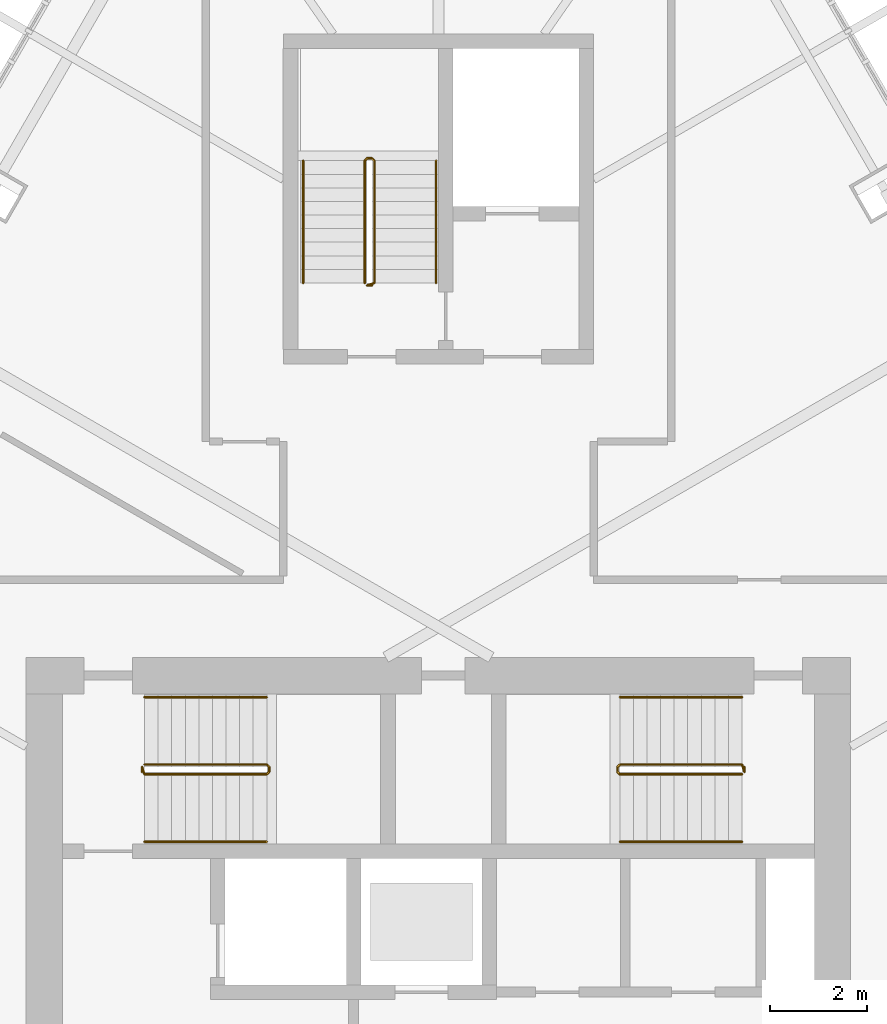
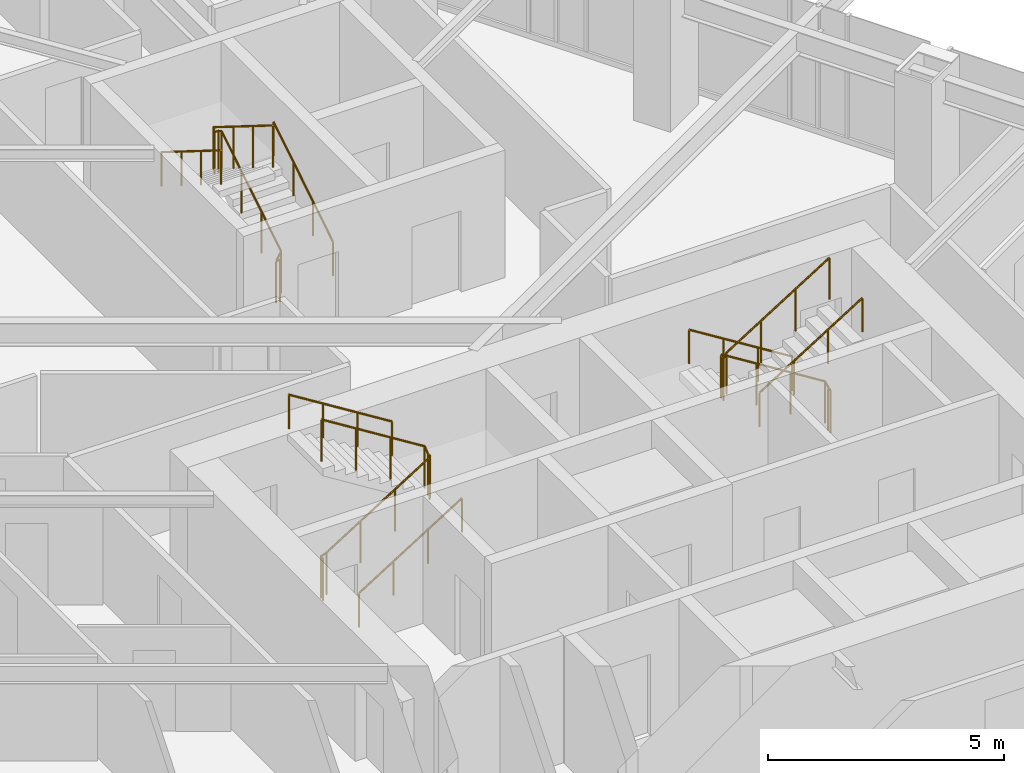
# One storey, part 25 of 26: 9 railings.
"""IFC4 building model written with IfcOpenShell, lengths in metres."""

from ifc_helpers import new_model, si_unit, direction, frame, origin, origin_2d, place, context, subcontext, project, spatial, circle, extrude, material, type_object, element, save


model = new_model("IFC4")

# Units and contexts
model_context = context("Model", 3, precision=1e-05, world=origin(), true_north=direction((0.0, 1.0)))
body_context = subcontext(model_context, "Body", "Model", "MODEL_VIEW")
ifc_project = project(units=[si_unit("LENGTHUNIT", "METRE"), si_unit("AREAUNIT", "SQUARE_METRE"), si_unit("VOLUMEUNIT", "CUBIC_METRE"), si_unit("PLANEANGLEUNIT", "RADIAN"), si_unit("MASSUNIT", "GRAM", prefix="KILO")], contexts=[model_context])

# Site, building, storey
site_placement = place(None, origin())
site = spatial("IfcSite", under=ifc_project, at=site_placement, CompositionType="ELEMENT")
building_placement = place(site_placement, origin())
building = spatial("IfcBuilding", under=site, at=building_placement, Name="Firuza Gate Tower and Library", CompositionType="ELEMENT")
storey_placement = place(building_placement, frame((0.0, 0.0, 288.10009765625)))
storey = spatial("IfcBuildingStorey", under=building, at=storey_placement, Name="L69", CompositionType="ELEMENT", Elevation=288.10009765625)

# Railings
ifc_material_1 = material(Name="Steel S355", Category="steel")
railing_type_1 = type_object("IfcRailingType", Name="Stair guard 1100", PredefinedType="GUARDRAIL", material=ifc_material_1)
railing_1_placement = place(storey_placement, frame((68.889892578125, 79.389892578125, 0.0)))
element("IfcRailing", 1, at=railing_1_placement, inside=storey, type_object=railing_type_1, Name="L69 ST1 stair guard 1", PredefinedType="GUARDRAIL", context=body_context, shape_type="SweptSolid", body=[
    extrude(circle(Radius=0.02392578125, at=origin_2d()), frame((0.0, 0.0, 1.076171875), z_axis=(0.0, 1.0, 0.0), x_axis=(-1.0, 0.0, 0.0)), (0.0, 0.0, 1.0), 0.10009765625),
    extrude(circle(Radius=0.02392578125, at=origin_2d()), frame((0.0, 0.10009765625, 1.076171875), z_axis=(0.212383695785, -0.636115069328, 0.741788908207), x_axis=(0.948528701346, 0.316691178788, 0.0)), (0.0, 0.0, 1.0), 0.235595703125),
    extrude(circle(Radius=0.02392578125, at=origin_2d()), frame((0.050048828125, -0.0498046875, 1.2509765625), z_axis=(0.847970611238, 0.0, 0.530043245855), x_axis=(0.0, 1.0, 0.0)), (0.0, 0.0, 1.0), 2.971923828125),
    extrude(circle(Radius=0.02392578125, at=origin_2d()), frame((2.570068359375, -0.0498046875, 2.826171875), z_axis=(0.708833529934, 0.705375805398, 0.0), x_axis=(-0.705375805398, 0.708833529934, 0.0)), (0.0, 0.0, 1.0), 0.070556640625),
    extrude(circle(Radius=0.02392578125, at=origin_2d()), frame((2.6201171875, 0.0, 2.826171875), z_axis=(0.0, 1.0, 0.0), x_axis=(-1.0, 0.0, 0.0)), (0.0, 0.0, 1.0), 0.10009765625),
    extrude(circle(Radius=0.02392578125, at=origin_2d()), frame((2.6201171875, 0.10009765625, 2.826171875), z_axis=(-0.265383341853, 0.265383341853, 0.926899867156), x_axis=(-0.707106781187, -0.707106781187, 0.0)), (0.0, 0.0, 1.0), 0.1884765625),
    extrude(circle(Radius=0.02392578125, at=origin_2d()), frame((2.570068359375, 0.150146484375, 3.0009765625), z_axis=(-0.847970611238, 0.0, 0.530043245855), x_axis=(0.0, -1.0, 0.0)), (0.0, 0.0, 1.0), 2.971923828125),
    extrude(circle(Radius=0.02099609375, at=origin_2d()), origin(), (0.0, 0.0, 1.0), 1.052001953125),
    extrude(circle(Radius=0.02099609375, at=origin_2d()), frame((0.0, 0.10009765625, 0.0)), (0.0, 0.0, 1.0), 1.052001953125),
    extrude(circle(Radius=0.02099609375, at=origin_2d()), frame((0.050048828125, -0.0498046875, 0.1748046875)), (0.0, 0.0, 1.0), 1.052001953125),
    extrude(circle(Radius=0.02099609375, at=origin_2d()), frame((0.89013671875, -0.0498046875, 0.699951171875)), (0.0, 0.0, 1.0), 1.052001953125),
    extrude(circle(Radius=0.02099609375, at=origin_2d()), frame((1.72998046875, -0.0498046875, 1.224853515625)), (0.0, 0.0, 1.0), 1.052001953125),
    extrude(circle(Radius=0.02099609375, at=origin_2d()), frame((2.570068359375, -0.0498046875, 1.75)), (0.0, 0.0, 1.0), 1.052001953125),
    extrude(circle(Radius=0.02099609375, at=origin_2d()), frame((2.6201171875, 0.0, 1.75)), (0.0, 0.0, 1.0), 1.052001953125),
    extrude(circle(Radius=0.02099609375, at=origin_2d()), frame((2.6201171875, 0.10009765625, 1.75)), (0.0, 0.0, 1.0), 1.052001953125),
    extrude(circle(Radius=0.02099609375, at=origin_2d()), frame((2.570068359375, 0.150146484375, 1.9248046875)), (0.0, 0.0, 1.0), 1.052001953125),
    extrude(circle(Radius=0.02099609375, at=origin_2d()), frame((1.72998046875, 0.150146484375, 2.449951171875)), (0.0, 0.0, 1.0), 1.052001953125),
    extrude(circle(Radius=0.02099609375, at=origin_2d()), frame((0.89013671875, 0.150146484375, 2.974853515625)), (0.0, 0.0, 1.0), 1.052001953125),
    extrude(circle(Radius=0.02099609375, at=origin_2d()), frame((0.050048828125, 0.150146484375, 3.5)), (0.0, 0.0, 1.0), 1.052001953125),
])
railing_2_placement = place(storey_placement, frame((81.31005859375, 79.489990234375, 0.0)))
element("IfcRailing", 2, at=railing_2_placement, inside=storey, type_object=railing_type_1, Name="L69 ST2 stair guard 1", PredefinedType="GUARDRAIL", context=body_context, shape_type="SweptSolid", body=[
    extrude(circle(Radius=0.02392578125, at=origin_2d()), frame((0.0, 0.0, 1.076171875), z_axis=(0.0, -1.0, 0.0), x_axis=(1.0, 0.0, 0.0)), (0.0, 0.0, 1.0), 0.10009765625),
    extrude(circle(Radius=0.02392578125, at=origin_2d()), frame((0.0, -0.10009765625, 1.076171875), z_axis=(-0.21224375372, 0.63673126116, 0.741300134944), x_axis=(-0.948683298051, -0.316227766017, 0.0)), (0.0, 0.0, 1.0), 0.23583984375),
    extrude(circle(Radius=0.02392578125, at=origin_2d()), frame((-0.050048828125, 0.050048828125, 1.2509765625), z_axis=(-0.847970611238, 0.0, 0.530043245855), x_axis=(0.0, -1.0, 0.0)), (0.0, 0.0, 1.0), 2.971923828125),
    extrude(circle(Radius=0.02392578125, at=origin_2d()), frame((-2.570068359375, 0.050048828125, 2.826171875), z_axis=(-0.707106781187, -0.707106781187, 0.0), x_axis=(0.707106781187, -0.707106781187, 0.0)), (0.0, 0.0, 1.0), 0.07080078125),
    extrude(circle(Radius=0.02392578125, at=origin_2d()), frame((-2.6201171875, 0.0, 2.826171875), z_axis=(0.0, -1.0, 0.0), x_axis=(1.0, 0.0, 0.0)), (0.0, 0.0, 1.0), 0.10009765625),
    extrude(circle(Radius=0.02392578125, at=origin_2d()), frame((-2.6201171875, -0.10009765625, 2.826171875), z_axis=(0.265474339444, -0.264179342666, 0.927217692888), x_axis=(0.705375805398, 0.708833529934, 0.0)), (0.0, 0.0, 1.0), 0.1884765625),
    extrude(circle(Radius=0.02392578125, at=origin_2d()), frame((-2.570068359375, -0.14990234375, 3.0009765625), z_axis=(0.847970611238, 0.0, 0.530043245855), x_axis=(0.0, 1.0, 0.0)), (0.0, 0.0, 1.0), 2.971923828125),
    extrude(circle(Radius=0.02099609375, at=origin_2d()), origin(), (0.0, 0.0, 1.0), 1.052001953125),
    extrude(circle(Radius=0.02099609375, at=origin_2d()), frame((0.0, -0.10009765625, 0.0)), (0.0, 0.0, 1.0), 1.052001953125),
    extrude(circle(Radius=0.02099609375, at=origin_2d()), frame((-0.050048828125, 0.050048828125, 0.1748046875)), (0.0, 0.0, 1.0), 1.052001953125),
    extrude(circle(Radius=0.02099609375, at=origin_2d()), frame((-0.89013671875, 0.050048828125, 0.699951171875)), (0.0, 0.0, 1.0), 1.052001953125),
    extrude(circle(Radius=0.02099609375, at=origin_2d()), frame((-1.72998046875, 0.050048828125, 1.224853515625)), (0.0, 0.0, 1.0), 1.052001953125),
    extrude(circle(Radius=0.02099609375, at=origin_2d()), frame((-2.570068359375, 0.050048828125, 1.75)), (0.0, 0.0, 1.0), 1.052001953125),
    extrude(circle(Radius=0.02099609375, at=origin_2d()), frame((-2.6201171875, 0.0, 1.75)), (0.0, 0.0, 1.0), 1.052001953125),
    extrude(circle(Radius=0.02099609375, at=origin_2d()), frame((-2.6201171875, -0.10009765625, 1.75)), (0.0, 0.0, 1.0), 1.052001953125),
    extrude(circle(Radius=0.02099609375, at=origin_2d()), frame((-2.570068359375, -0.14990234375, 1.9248046875)), (0.0, 0.0, 1.0), 1.052001953125),
    extrude(circle(Radius=0.02099609375, at=origin_2d()), frame((-1.72998046875, -0.14990234375, 2.449951171875)), (0.0, 0.0, 1.0), 1.052001953125),
    extrude(circle(Radius=0.02099609375, at=origin_2d()), frame((-0.89013671875, -0.14990234375, 2.974853515625)), (0.0, 0.0, 1.0), 1.052001953125),
    extrude(circle(Radius=0.02099609375, at=origin_2d()), frame((-0.050048828125, -0.14990234375, 3.5)), (0.0, 0.0, 1.0), 1.052001953125),
])
railing_3_placement = place(storey_placement, frame((73.6298828125, 89.419921875, 0.0)))
element("IfcRailing", 3, at=railing_3_placement, inside=storey, type_object=railing_type_1, Name="L69 ST3 stair guard 1", PredefinedType="GUARDRAIL", context=body_context, shape_type="SweptSolid", body=[
    extrude(circle(Radius=0.02392578125, at=origin_2d()), frame((0.0, 0.0, 1.076171875), z_axis=(-1.0, 0.0, 0.0), x_axis=(0.0, -1.0, 0.0)), (0.0, 0.0, 1.0), 0.099853515625),
    extrude(circle(Radius=0.02392578125, at=origin_2d()), frame((-0.099853515625, 0.0, 1.076171875), z_axis=(0.636115069328, 0.212383695785, 0.741788908207), x_axis=(-0.316691178788, 0.948528701346, 0.0)), (0.0, 0.0, 1.0), 0.235595703125),
    extrude(circle(Radius=0.02392578125, at=origin_2d()), frame((0.050048828125, 0.050048828125, 1.2509765625), z_axis=(0.0, 0.847970611238, 0.530043245855), x_axis=(-1.0, 0.0, 0.0)), (0.0, 0.0, 1.0), 2.971923828125),
    extrude(circle(Radius=0.02392578125, at=origin_2d()), frame((0.050048828125, 2.570068359375, 2.826171875), z_axis=(-0.707106781187, 0.707106781187, 0.0), x_axis=(-0.707106781187, -0.707106781187, 0.0)), (0.0, 0.0, 1.0), 0.07080078125),
    extrude(circle(Radius=0.02392578125, at=origin_2d()), frame((0.0, 2.6201171875, 2.826171875), z_axis=(-1.0, 0.0, 0.0), x_axis=(0.0, -1.0, 0.0)), (0.0, 0.0, 1.0), 0.099853515625),
    extrude(circle(Radius=0.02392578125, at=origin_2d()), frame((-0.099853515625, 2.6201171875, 2.826171875), z_axis=(-0.265383341853, -0.265383341853, 0.926899867156), x_axis=(0.707106781187, -0.707106781187, 0.0)), (0.0, 0.0, 1.0), 0.1884765625),
    extrude(circle(Radius=0.02392578125, at=origin_2d()), frame((-0.14990234375, 2.570068359375, 3.0009765625), z_axis=(0.0, -0.847970611238, 0.530043245855), x_axis=(1.0, 0.0, 0.0)), (0.0, 0.0, 1.0), 2.971923828125),
    extrude(circle(Radius=0.02099609375, at=origin_2d()), origin(), (0.0, 0.0, 1.0), 1.052001953125),
    extrude(circle(Radius=0.02099609375, at=origin_2d()), frame((-0.099853515625, 0.0, 0.0)), (0.0, 0.0, 1.0), 1.052001953125),
    extrude(circle(Radius=0.02099609375, at=origin_2d()), frame((0.050048828125, 0.050048828125, 0.1748046875)), (0.0, 0.0, 1.0), 1.052001953125),
    extrude(circle(Radius=0.02099609375, at=origin_2d()), frame((0.050048828125, 0.89013671875, 0.699951171875)), (0.0, 0.0, 1.0), 1.052001953125),
    extrude(circle(Radius=0.02099609375, at=origin_2d()), frame((0.050048828125, 1.72998046875, 1.224853515625)), (0.0, 0.0, 1.0), 1.052001953125),
    extrude(circle(Radius=0.02099609375, at=origin_2d()), frame((0.050048828125, 2.570068359375, 1.75)), (0.0, 0.0, 1.0), 1.052001953125),
    extrude(circle(Radius=0.02099609375, at=origin_2d()), frame((0.0, 2.6201171875, 1.75)), (0.0, 0.0, 1.0), 1.052001953125),
    extrude(circle(Radius=0.02099609375, at=origin_2d()), frame((-0.099853515625, 2.6201171875, 1.75)), (0.0, 0.0, 1.0), 1.052001953125),
    extrude(circle(Radius=0.02099609375, at=origin_2d()), frame((-0.14990234375, 2.570068359375, 1.9248046875)), (0.0, 0.0, 1.0), 1.052001953125),
    extrude(circle(Radius=0.02099609375, at=origin_2d()), frame((-0.14990234375, 1.72998046875, 2.449951171875)), (0.0, 0.0, 1.0), 1.052001953125),
    extrude(circle(Radius=0.02099609375, at=origin_2d()), frame((-0.14990234375, 0.89013671875, 2.974853515625)), (0.0, 0.0, 1.0), 1.052001953125),
    extrude(circle(Radius=0.02099609375, at=origin_2d()), frame((-0.14990234375, 0.050048828125, 3.5)), (0.0, 0.0, 1.0), 1.052001953125),
])
ifc_material_2 = material(Name="Steel S355", Category="steel")
railing_type_2 = type_object("IfcRailingType", Name="Stair handrail 900", PredefinedType="HANDRAIL", material=ifc_material_2)
railing_4_placement = place(storey_placement, frame((68.93994140625, 77.949951171875, 0.1748046875)))
element("IfcRailing", 4, at=railing_4_placement, inside=storey, type_object=railing_type_2, Name="L69 ST1 stair handrail 1", PredefinedType="HANDRAIL", context=body_context, shape_type="SweptSolid", body=[
    extrude(circle(Radius=0.02392578125, at=origin_2d()), frame((0.0, 0.0, 0.8759765625), z_axis=(0.847970611238, 0.0, 0.530043245855), x_axis=(0.0, 1.0, 0.0)), (0.0, 0.0, 1.0), 2.971923828125),
    extrude(circle(Radius=0.02099609375, at=origin_2d()), origin(), (0.0, 0.0, 1.0), 0.851806640625),
    extrude(circle(Radius=0.02099609375, at=origin_2d()), frame((0.840087890625, 0.0, 0.525146484375)), (0.0, 0.0, 1.0), 0.851806640625),
    extrude(circle(Radius=0.02099609375, at=origin_2d()), frame((1.679931640625, 0.0, 1.050048828125)), (0.0, 0.0, 1.0), 0.851806640625),
    extrude(circle(Radius=0.02099609375, at=origin_2d()), frame((2.52001953125, 0.0, 1.5751953125)), (0.0, 0.0, 1.0), 0.851806640625),
])
for number, where, name in (
    (5, (71.4599609375, 80.929931640625, 1.9248046875), "L69 ST1 stair handrail 2"),
    (6, (81.260009765625, 80.929931640625, 0.1748046875), "L69 ST2 stair handrail 1"),
):
    element("IfcRailing", number, at=place(storey_placement, frame(where)), inside=storey, type_object=railing_type_2, Name=name, PredefinedType="HANDRAIL", context=body_context, shape_type="SweptSolid", body=[
        extrude(circle(Radius=0.02392578125, at=origin_2d()), frame((0.0, 0.0, 0.8759765625), z_axis=(-0.847970611238, 0.0, 0.530043245855), x_axis=(0.0, -1.0, 0.0)), (0.0, 0.0, 1.0), 2.971923828125),
        extrude(circle(Radius=0.02099609375, at=origin_2d()), origin(), (0.0, 0.0, 1.0), 0.851806640625),
        extrude(circle(Radius=0.02099609375, at=origin_2d()), frame((-0.840087890625, 0.0, 0.525146484375)), (0.0, 0.0, 1.0), 0.851806640625),
        extrude(circle(Radius=0.02099609375, at=origin_2d()), frame((-1.679931640625, 0.0, 1.050048828125)), (0.0, 0.0, 1.0), 0.851806640625),
        extrude(circle(Radius=0.02099609375, at=origin_2d()), frame((-2.52001953125, 0.0, 1.5751953125)), (0.0, 0.0, 1.0), 0.851806640625),
    ])
railing_5_placement = place(storey_placement, frame((78.739990234375, 77.949951171875, 1.9248046875)))
element("IfcRailing", 7, at=railing_5_placement, inside=storey, type_object=railing_type_2, Name="L69 ST2 stair handrail 2", PredefinedType="HANDRAIL", context=body_context, shape_type="SweptSolid", body=[
    extrude(circle(Radius=0.02392578125, at=origin_2d()), frame((0.0, 0.0, 0.8759765625), z_axis=(0.847970611238, 0.0, 0.530043245855), x_axis=(0.0, 1.0, 0.0)), (0.0, 0.0, 1.0), 2.971923828125),
    extrude(circle(Radius=0.02099609375, at=origin_2d()), origin(), (0.0, 0.0, 1.0), 0.851806640625),
    extrude(circle(Radius=0.02099609375, at=origin_2d()), frame((0.840087890625, 0.0, 0.525146484375)), (0.0, 0.0, 1.0), 0.851806640625),
    extrude(circle(Radius=0.02099609375, at=origin_2d()), frame((1.679931640625, 0.0, 1.050048828125)), (0.0, 0.0, 1.0), 0.851806640625),
    extrude(circle(Radius=0.02099609375, at=origin_2d()), frame((2.52001953125, 0.0, 1.5751953125)), (0.0, 0.0, 1.0), 0.851806640625),
])
railing_6_placement = place(storey_placement, frame((74.949951171875, 89.469970703125, 0.1748046875)))
element("IfcRailing", 8, at=railing_6_placement, inside=storey, type_object=railing_type_2, Name="L69 ST3 stair handrail 1", PredefinedType="HANDRAIL", context=body_context, shape_type="SweptSolid", body=[
    extrude(circle(Radius=0.02392578125, at=origin_2d()), frame((0.0, 0.0, 0.8759765625), z_axis=(0.0, 0.847970611238, 0.530043245855), x_axis=(-1.0, 0.0, 0.0)), (0.0, 0.0, 1.0), 2.971923828125),
    extrude(circle(Radius=0.02099609375, at=origin_2d()), origin(), (0.0, 0.0, 1.0), 0.851806640625),
    extrude(circle(Radius=0.02099609375, at=origin_2d()), frame((0.0, 0.840087890625, 0.525146484375)), (0.0, 0.0, 1.0), 0.851806640625),
    extrude(circle(Radius=0.02099609375, at=origin_2d()), frame((0.0, 1.679931640625, 1.050048828125)), (0.0, 0.0, 1.0), 0.851806640625),
    extrude(circle(Radius=0.02099609375, at=origin_2d()), frame((0.0, 2.52001953125, 1.5751953125)), (0.0, 0.0, 1.0), 0.851806640625),
])
railing_7_placement = place(storey_placement, frame((72.2099609375, 91.989990234375, 1.9248046875)))
element("IfcRailing", 9, at=railing_7_placement, inside=storey, type_object=railing_type_2, Name="L69 ST3 stair handrail 2", PredefinedType="HANDRAIL", context=body_context, shape_type="SweptSolid", body=[
    extrude(circle(Radius=0.02392578125, at=origin_2d()), frame((0.0, 0.0, 0.8759765625), z_axis=(0.0, -0.847970611238, 0.530043245855), x_axis=(1.0, 0.0, 0.0)), (0.0, 0.0, 1.0), 2.971923828125),
    extrude(circle(Radius=0.02099609375, at=origin_2d()), origin(), (0.0, 0.0, 1.0), 0.851806640625),
    extrude(circle(Radius=0.02099609375, at=origin_2d()), frame((0.0, -0.840087890625, 0.525146484375)), (0.0, 0.0, 1.0), 0.851806640625),
    extrude(circle(Radius=0.02099609375, at=origin_2d()), frame((0.0, -1.679931640625, 1.050048828125)), (0.0, 0.0, 1.0), 0.851806640625),
    extrude(circle(Radius=0.02099609375, at=origin_2d()), frame((0.0, -2.52001953125, 1.5751953125)), (0.0, 0.0, 1.0), 0.851806640625),
])

save(model, "model.ifc")
